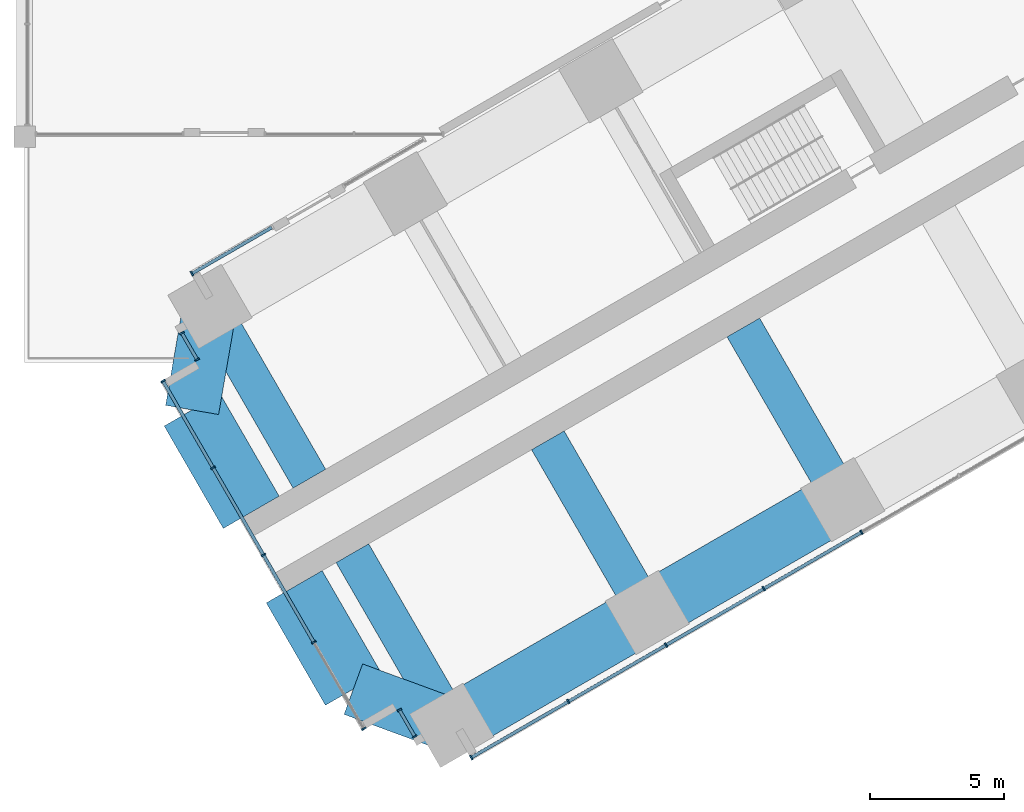
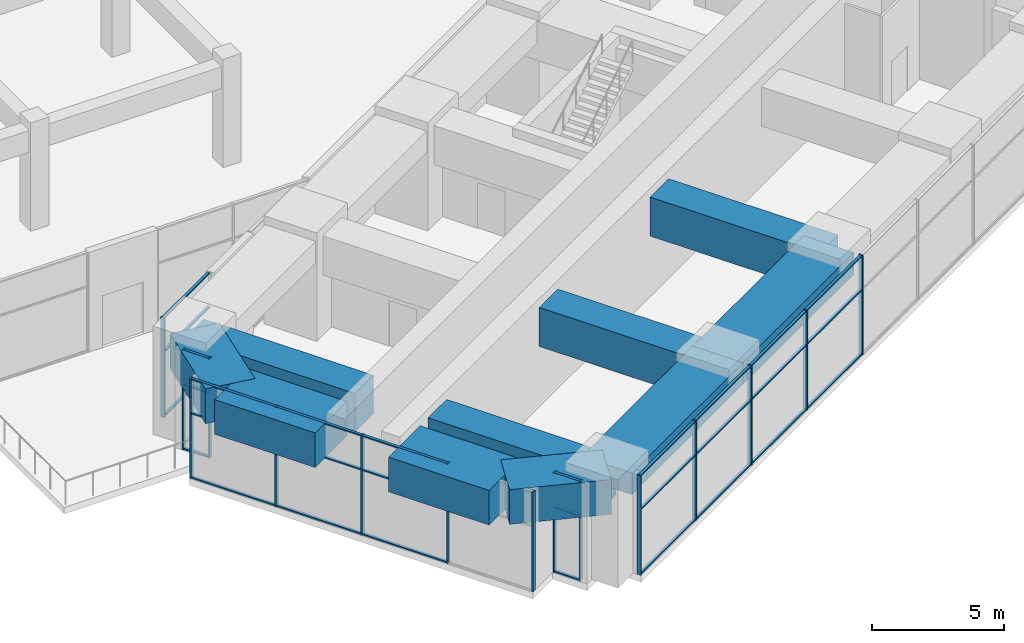
# One storey, part 2 of 33: 45 members, 10 beams, 5 elements without a shape of their own.
"""IFC4 building model written with IfcOpenShell, lengths in metres."""

import ifcopenshell
import ifcopenshell.guid

model = None  # the IFC model being written
_history = None  # IfcOwnerHistory: only IFC2X3 demands one
_inside = {}  # id of a spatial element -> (the spatial element, [elements in it])
_under = {}  # id of a project, library or spatial element -> (it, [spatial elements below it])
_declared = {}  # id of a project -> (the project, [libraries it declares])
_typed = {}  # id of a type object -> (the type object, [elements of that type])
_made_of = {}  # id of a material, layer set ... -> (it, [elements and type objects made of it])


def new_model(schema):
    """Start an empty IFC model of exactly this schema.

    Asked for "IFC4X3", IfcOpenShell would pick the latest addendum, in which some entities
    have other attributes; the version numbers below select the first issue.
    IFC2X3 requires an IfcOwnerHistory on every rooted entity: one is made here for all.
    """
    global model, _history
    if schema == "IFC4X3":
        model = ifcopenshell.file(schema_version=(4, 3, 0, 0))
    else:
        model = ifcopenshell.file(schema=schema)
    _inside.clear()
    _under.clear()
    _declared.clear()
    _typed.clear()
    _made_of.clear()
    _history = None
    if model.schema == "IFC2X3":
        org = make("IfcOrganization", Name="unknown")
        user = make(
            "IfcPersonAndOrganization",
            ThePerson=make("IfcPerson", FamilyName="unknown"),
            TheOrganization=org,
        )
        app = make(
            "IfcApplication",
            ApplicationDeveloper=org,
            Version="unknown",
            ApplicationFullName="unknown",
            ApplicationIdentifier="unknown",
        )
        _history = make(
            "IfcOwnerHistory",
            OwningUser=user,
            OwningApplication=app,
            ChangeAction="ADDED",
            CreationDate=0,
        )
    return model


def make(cls, **values):
    """One entity of the class cls with the attributes given. An attribute that is None is left unset."""
    return model.create_entity(
        cls, **{name: value for name, value in values.items() if value is not None}
    )


def rooted(cls, **values):
    """An entity with a GlobalId (a new one), such as an element, a storey or a relation."""
    return make(cls, GlobalId=ifcopenshell.guid.new(), OwnerHistory=_history, **values)


def si_unit(unit_type, name, prefix=None):
    """IfcSIUnit, for example si_unit("LENGTHUNIT", "METRE", prefix="MILLI")."""
    return make("IfcSIUnit", UnitType=unit_type, Prefix=prefix, Name=name)


def assignment(units):
    """IfcUnitAssignment: the units of a project."""
    return None if units is None else make("IfcUnitAssignment", Units=units)


def point(xyz):
    """IfcCartesianPoint."""
    return None if xyz is None else make("IfcCartesianPoint", Coordinates=xyz)


def direction(xyz):
    """IfcDirection."""
    return None if xyz is None else make("IfcDirection", DirectionRatios=xyz)


def frame(location, z_axis=None, x_axis=None):
    """IfcAxis2Placement3D, a coordinate frame: its origin and axes. An axis left out is left unset."""
    return make(
        "IfcAxis2Placement3D",
        Location=point(location),
        Axis=direction(z_axis),
        RefDirection=direction(x_axis),
    )


def frame_2d(location, x_axis=None):
    """IfcAxis2Placement2D, a coordinate frame in the plane: its origin and x axis."""
    return make(
        "IfcAxis2Placement2D", Location=point(location), RefDirection=direction(x_axis)
    )


def origin():
    """The frame at (0, 0, 0) with its axes left unset."""
    return frame((0.0, 0.0, 0.0))


def origin_2d():
    """The frame at (0, 0) in the plane with its x axis left unset."""
    return frame_2d((0.0, 0.0))


def place(relative_to, where):
    """IfcLocalPlacement: puts the frame where relative to a parent placement (None: the world)."""
    return make(
        "IfcLocalPlacement", PlacementRelTo=relative_to, RelativePlacement=where
    )


def context(
    kind, dimensions, precision=None, world=None, true_north=None, identifier=None
):
    """IfcGeometricRepresentationContext, for example the 3D "Model" context."""
    return make(
        "IfcGeometricRepresentationContext",
        ContextIdentifier=identifier,
        ContextType=kind,
        CoordinateSpaceDimension=dimensions,
        Precision=precision,
        WorldCoordinateSystem=world,
        TrueNorth=true_north,
    )


def subcontext(parent, identifier, kind, view, scale=None):
    """IfcGeometricRepresentationSubContext, for example "Body" below "Model"."""
    return make(
        "IfcGeometricRepresentationSubContext",
        ContextIdentifier=identifier,
        ContextType=kind,
        ParentContext=parent,
        TargetScale=scale,
        TargetView=view,
    )


def project(units=None, contexts=None):
    """IfcProject with its units and contexts."""
    return rooted(
        "IfcProject",
        Name="project",
        RepresentationContexts=contexts,
        UnitsInContext=assignment(units),
    )


def spatial(cls, under=None, at=None, **own):
    """A site, building, storey or space (cls), placed at a placement, below another one or the project."""
    s = rooted(cls, ObjectPlacement=at, **own)
    if under is not None:
        _under.setdefault(under.id(), (under, []))[1].append(s)
    return s


def profile(cls, at=None, kind="AREA", **sizes):
    """A parametric profile (cls). Its sizes go by their IFC names, for example OverallWidth=200.0."""
    return make(cls, ProfileType=kind, Position=at, **sizes)


def rectangle(**sizes):
    """IfcRectangleProfileDef."""
    return profile("IfcRectangleProfileDef", **sizes)


def extrude(swept, where, along, depth):
    """IfcExtrudedAreaSolid: the profile swept, set in the frame where, extruded along a direction by depth."""
    return make(
        "IfcExtrudedAreaSolid",
        SweptArea=swept,
        Position=where,
        ExtrudedDirection=direction(along),
        Depth=depth,
    )


def shape(context_of_items, identifier, shape_type, items):
    """IfcShapeRepresentation: the items that make up one representation, for example the "Body"."""
    return make(
        "IfcShapeRepresentation",
        ContextOfItems=context_of_items,
        RepresentationIdentifier=identifier,
        RepresentationType=shape_type,
        Items=items,
    )


def material(Name=None, Category=None):
    """IfcMaterial."""
    return make("IfcMaterial", Name=Name, Category=Category)


def material_profile(
    of_material, cross_section, Name=None, Category=None, Priority=None
):
    """IfcMaterialProfile: a cross section and its material."""
    return make(
        "IfcMaterialProfile",
        Name=Name,
        Material=of_material,
        Profile=cross_section,
        Priority=Priority,
        Category=Category,
    )


def profile_set(profiles, Name=None, composite=None):
    """IfcMaterialProfileSet."""
    return make(
        "IfcMaterialProfileSet",
        Name=Name,
        MaterialProfiles=profiles,
        CompositeProfile=composite,
    )


def made_of(thing, what):
    """Note that an element or type object is made of a material, layer set ...; save() writes the relation."""
    if what is not None:
        _made_of.setdefault(what.id(), (what, []))[1].append(thing)
    return thing


def type_object(cls, material=None, **own):
    """A type object (cls), such as IfcWallType, which elements share."""
    return made_of(rooted(cls, **own), material)


def element(
    cls,
    number,
    at=None,
    inside=None,
    cuts=None,
    type_object=None,
    material=None,
    context=None,
    identifier="Body",
    shape_type=None,
    held_by="IfcProductDefinitionShape",
    body=None,
    shapes=None,
    **own,
):
    """One element of the class cls, such as IfcWall. Its Tag is "e" and its number.

    at: its placement. inside: the storey or other place that contains it. cuts: it is an
    opening in that element (IfcRelVoidsElement). A single representation is given by context,
    identifier, shape_type and body (its items); several are given by shapes. held_by: the class
    of the entity that holds the representations. save() writes the other relations.
    """
    e = rooted(cls, Tag="e%d" % number, ObjectPlacement=at, **own)
    if body is not None:
        shapes = [shape(context, identifier, shape_type, body)]
    if shapes is not None:
        e.Representation = make(held_by, Representations=shapes)
    if inside is not None:
        _inside.setdefault(inside.id(), (inside, []))[1].append(e)
    if cuts is not None:
        rooted(
            "IfcRelVoidsElement", RelatingBuildingElement=cuts, RelatedOpeningElement=e
        )
    if type_object is not None:
        _typed.setdefault(type_object.id(), (type_object, []))[1].append(e)
    return made_of(e, material)


def aggregate(whole, parts):
    """IfcRelAggregates: a whole, such as a stair, and the parts it consists of."""
    return rooted("IfcRelAggregates", RelatingObject=whole, RelatedObjects=parts)


def save(model, path):
    """Write the relations noted so far, then the file.

    IfcRelAggregates (storeys below a building ...), IfcRelContainedInSpatialStructure (elements
    in a storey), IfcRelDefinesByType, IfcRelAssociatesMaterial and IfcRelDeclares: one each for
    every whole, place, type object, material and project.
    """
    for whole, parts in _under.values():
        aggregate(whole, parts)
    for where, things in _inside.values():
        rooted(
            "IfcRelContainedInSpatialStructure",
            RelatedElements=things,
            RelatingStructure=where,
        )
    for kind, things in _typed.values():
        rooted("IfcRelDefinesByType", RelatedObjects=things, RelatingType=kind)
    for what, things in _made_of.values():
        rooted("IfcRelAssociatesMaterial", RelatedObjects=things, RelatingMaterial=what)
    for by, libraries in _declared.values():
        rooted("IfcRelDeclares", RelatingContext=by, RelatedDefinitions=libraries)
    model.write(path)


model = new_model("IFC4")

# Units and contexts
model_context = context("Model", 3, precision=1e-05, world=origin(), true_north=direction((0.0, 1.0)))
body_context = subcontext(model_context, "Body", "Model", "MODEL_VIEW")
ifc_project = project(units=[si_unit("LENGTHUNIT", "METRE"), si_unit("AREAUNIT", "SQUARE_METRE"), si_unit("VOLUMEUNIT", "CUBIC_METRE"), si_unit("PLANEANGLEUNIT", "RADIAN"), si_unit("MASSUNIT", "GRAM", prefix="KILO")], contexts=[model_context])

# Site, building, storey
site_placement = place(None, origin())
site = spatial("IfcSite", under=ifc_project, at=site_placement, CompositionType="ELEMENT")
building_placement = place(site_placement, origin())
building = spatial("IfcBuilding", under=site, at=building_placement, Name="Impinga Residences", CompositionType="ELEMENT")
storey_placement = place(building_placement, frame((0.0, 0.0, 21.0)))
storey = spatial("IfcBuildingStorey", under=building, at=storey_placement, Name="L04", CompositionType="ELEMENT", Elevation=21.0)

# Beams
ifc_material_1 = material(Name="Concrete C60/75", Category="concrete")
ifc_material_profile_1 = material_profile(ifc_material_1, rectangle(XDim=2.0, YDim=1.60009765625, at=origin_2d()), Name="RC 2000x1600")
ifc_profile_set_1 = profile_set([ifc_material_profile_1], Name="Concrete C60/75")
beam_type_1 = type_object("IfcBeamType", Name="CB2 2000x1600 wing end cantilever beam", PredefinedType="BEAM", material=ifc_profile_set_1)
beam_1_placement = place(storey_placement, frame((-34.49853515625, -30.31005859375, 3.800048828125), z_axis=(-0.938520178725, 0.345224382289, 0.0), x_axis=(-0.345224382289, -0.938520178725, 0.0)))
element("IfcBeam", 1, at=beam_1_placement, inside=storey, type_object=beam_type_1, Name="Beam CB2 WB W5-WX level L05", PredefinedType="BEAM", context=body_context, shape_type="SweptSolid", body=[
    extrude(rectangle(XDim=2.0, YDim=1.60009765625, at=origin_2d()), origin(), (0.0, 0.0, 1.0), 3.905029296875),
])
beam_2_placement = place(storey_placement, frame((-43.49853515625, -14.721435546875, 3.800048828125), z_axis=(-0.170296298948, -0.985392901621, 0.0), x_axis=(0.985392901621, -0.170296298948, 0.0)))
element("IfcBeam", 2, at=beam_2_placement, inside=storey, type_object=beam_type_1, Name="Beam CB2 WE W5-WX level L05", PredefinedType="BEAM", context=body_context, shape_type="SweptSolid", body=[
    extrude(rectangle(XDim=2.0, YDim=1.60009765625, at=origin_2d()), origin(), (0.0, 0.0, 1.0), 3.9052734375),
])
ifc_material_profile_2 = material_profile(ifc_material_1, rectangle(XDim=1.39990234375, YDim=1.800048828125, at=origin_2d()), Name="RC 1400x1800")
ifc_profile_set_2 = profile_set([ifc_material_profile_2], Name="Concrete C60/75")
beam_type_2 = type_object("IfcBeamType", Name="CG4 1400x1800 cross girder on a wing bay line under the podium floors", PredefinedType="BEAM", material=ifc_profile_set_2)
beam_3_placement = place(storey_placement, frame((-23.649169921875, -15.50146484375, 3.699951171875), z_axis=(0.500003285667, -0.866023506795, 0.0), x_axis=(0.866023506795, 0.500003285667, 0.0)))
element("IfcBeam", 3, at=beam_3_placement, inside=storey, type_object=beam_type_2, Name="Beam CG4 W3 WC/WA level L05", PredefinedType="BEAM", context=body_context, shape_type="SweptSolid", body=[
    extrude(rectangle(XDim=1.39990234375, YDim=1.800048828125, at=origin_2d()), origin(), (0.0, 0.0, 1.0), 7.39990234375),
])
for number, where, z_axis, x_axis, name in (
    (4, (-30.923828125, -19.701416015625, 3.699951171875), (0.499988999718, -0.866031754707, 0.0), (0.866031754707, 0.499988999718, 0.0), "Beam CG4 W4 WC/WA level L05"),
    (5, (-38.198486328125, -23.9013671875, 3.699951171875), (0.499988999718, -0.866031754707, 0.0), (0.866031754707, 0.499988999718, 0.0), "Beam CG4 W5 WC/WA level L05"),
    (6, (-39.79833984375, -21.130126953125, 3.699951171875), (-0.500013743233, 0.86601746898, 0.0), (-0.86601746898, -0.500013743233, 0.0), "Beam CG4 W5 WC/WF level L05"),
):
    element("IfcBeam", number, at=place(storey_placement, frame(where, z_axis=z_axis, x_axis=x_axis)), inside=storey, type_object=beam_type_2, Name=name, PredefinedType="BEAM", context=body_context, shape_type="SweptSolid", body=[
        extrude(rectangle(XDim=1.39990234375, YDim=1.800048828125, at=origin_2d()), origin(), (0.0, 0.0, 1.0), 7.400146484375),
    ])

# Curtain wall, members
ifc_material_2 = material(Name="Aluminium stick curtain wall", Category="aluminium")
curtain_wall_type = type_object("IfcCurtainWallType", Name="CW1 podium amenity curtain wall", PredefinedType="USERDEFINED", material=ifc_material_2)
curtain_wall_1_placement = place(storey_placement, origin())
curtain_wall_1 = element("IfcCurtainWall", 7, at=curtain_wall_1_placement, inside=storey, type_object=curtain_wall_type, Name="Curtain wall CW1 L04", ObjectType="STICK CURTAIN WALL", PredefinedType="USERDEFINED")
ifc_material_3 = material(Name="Aluminium mullion", Category="aluminium")
ifc_material_profile_3 = material_profile(ifc_material_3, rectangle(XDim=0.06005859375, YDim=0.179931640625, at=origin_2d()), Name="60x180 mullion")
ifc_profile_set_3 = profile_set([ifc_material_profile_3], Name="Aluminium mullion")
member_type_1 = type_object("IfcMemberType", Name="CW1-M mullion 60x180", PredefinedType="MULLION", material=ifc_profile_set_3)
member_1_placement = place(storey_placement, frame((-35.8759765625, -30.72412109375, 0.0), z_axis=(0.0, 0.0, 1.0), x_axis=(-0.499999813995, 0.866025511175, 0.0)))
member_1 = element("IfcMember", 8, at=member_1_placement, type_object=member_type_1, Name="CW1 mullion 1", PredefinedType="MULLION", context=body_context, shape_type="SweptSolid", body=[
    extrude(rectangle(XDim=0.06005859375, YDim=0.179931640625, at=origin_2d()), origin(), (0.0, 0.0, 1.0), 4.60009765625),
])
member_2_placement = place(storey_placement, frame((-36.44580078125, -29.737060546875, 0.0), z_axis=(0.0, 0.0, 1.0), x_axis=(-0.499999813995, 0.866025511175, 0.0)))
member_2 = element("IfcMember", 9, at=member_2_placement, type_object=member_type_1, Name="CW1 mullion 2", PredefinedType="MULLION", context=body_context, shape_type="SweptSolid", body=[
    extrude(rectangle(XDim=0.06005859375, YDim=0.179931640625, at=origin_2d()), origin(), (0.0, 0.0, 1.0), 4.60009765625),
])

curtain_wall_2_placement = place(storey_placement, origin())
curtain_wall_2 = element("IfcCurtainWall", 10, at=curtain_wall_2_placement, inside=storey, type_object=curtain_wall_type, Name="Curtain wall CW1 L04", ObjectType="STICK CURTAIN WALL", PredefinedType="USERDEFINED")
member_3_placement = place(storey_placement, frame((-37.77490234375, -30.43505859375, 0.0), z_axis=(0.0, 0.0, 1.0), x_axis=(-0.500000001632, 0.866025402842, 0.0)))
member_3 = element("IfcMember", 11, at=member_3_placement, type_object=member_type_1, Name="CW1 mullion 1", PredefinedType="MULLION", context=body_context, shape_type="SweptSolid", body=[
    extrude(rectangle(XDim=0.06005859375, YDim=0.179931640625, at=origin_2d()), origin(), (0.0, 0.0, 1.0), 4.60009765625),
])
member_4_placement = place(storey_placement, frame((-39.635009765625, -27.21337890625, 0.0), z_axis=(0.0, 0.0, 1.0), x_axis=(-0.500000001632, 0.866025402842, 0.0)))
member_4 = element("IfcMember", 12, at=member_4_placement, type_object=member_type_1, Name="CW1 mullion 2", PredefinedType="MULLION", context=body_context, shape_type="SweptSolid", body=[
    extrude(rectangle(XDim=0.06005859375, YDim=0.179931640625, at=origin_2d()), origin(), (0.0, 0.0, 1.0), 4.60009765625),
])
member_5_placement = place(storey_placement, frame((-41.510009765625, -23.9658203125, 0.0), z_axis=(0.0, 0.0, 1.0), x_axis=(-0.500000001632, 0.866025402842, 0.0)))
member_5 = element("IfcMember", 13, at=member_5_placement, type_object=member_type_1, Name="CW1 mullion 3", PredefinedType="MULLION", context=body_context, shape_type="SweptSolid", body=[
    extrude(rectangle(XDim=0.06005859375, YDim=0.179931640625, at=origin_2d()), origin(), (0.0, 0.0, 1.0), 4.60009765625),
])
member_6_placement = place(storey_placement, frame((-43.385009765625, -20.71826171875, 0.0), z_axis=(0.0, 0.0, 1.0), x_axis=(-0.500000001632, 0.866025402842, 0.0)))
member_6 = element("IfcMember", 14, at=member_6_placement, type_object=member_type_1, Name="CW1 mullion 4", PredefinedType="MULLION", context=body_context, shape_type="SweptSolid", body=[
    extrude(rectangle(XDim=0.06005859375, YDim=0.179931640625, at=origin_2d()), origin(), (0.0, 0.0, 1.0), 4.60009765625),
])
member_7_placement = place(storey_placement, frame((-45.244873046875, -17.49658203125, 0.0), z_axis=(0.0, 0.0, 1.0), x_axis=(-0.500000001632, 0.866025402842, 0.0)))
member_7 = element("IfcMember", 15, at=member_7_placement, type_object=member_type_1, Name="CW1 mullion 5", PredefinedType="MULLION", context=body_context, shape_type="SweptSolid", body=[
    extrude(rectangle(XDim=0.06005859375, YDim=0.179931640625, at=origin_2d()), origin(), (0.0, 0.0, 1.0), 4.60009765625),
])

curtain_wall_3_placement = place(storey_placement, origin())
curtain_wall_3 = element("IfcCurtainWall", 16, at=curtain_wall_3_placement, inside=storey, type_object=curtain_wall_type, Name="Curtain wall CW1 L04", ObjectType="STICK CURTAIN WALL", PredefinedType="USERDEFINED")
member_8_placement = place(storey_placement, frame((-43.975830078125, -16.694580078125, 0.0), z_axis=(0.0, 0.0, 1.0), x_axis=(-0.50000017485, 0.866025302835, 0.0)))
member_8 = element("IfcMember", 17, at=member_8_placement, type_object=member_type_1, Name="CW1 mullion 1", PredefinedType="MULLION", context=body_context, shape_type="SweptSolid", body=[
    extrude(rectangle(XDim=0.06005859375, YDim=0.179931640625, at=origin_2d()), origin(), (0.0, 0.0, 1.0), 4.60009765625),
])
member_9_placement = place(storey_placement, frame((-44.5458984375, -15.707275390625, 0.0), z_axis=(0.0, 0.0, 1.0), x_axis=(-0.50000017485, 0.866025302835, 0.0)))
member_9 = element("IfcMember", 18, at=member_9_placement, type_object=member_type_1, Name="CW1 mullion 2", PredefinedType="MULLION", context=body_context, shape_type="SweptSolid", body=[
    extrude(rectangle(XDim=0.06005859375, YDim=0.179931640625, at=origin_2d()), origin(), (0.0, 0.0, 1.0), 4.60009765625),
])

# Curtain wall, member
curtain_wall_4_placement = place(storey_placement, origin())
curtain_wall_4 = element("IfcCurtainWall", 19, at=curtain_wall_4_placement, inside=storey, type_object=curtain_wall_type, Name="Curtain wall CW1 L04", ObjectType="STICK CURTAIN WALL", PredefinedType="USERDEFINED")
member_10_placement = place(storey_placement, frame((-44.17236328125, -13.494140625, 0.0), z_axis=(0.0, 0.0, 1.0), x_axis=(0.866025511323, 0.499999813738, 0.0)))
member_10 = element("IfcMember", 20, at=member_10_placement, type_object=member_type_1, Name="CW1 mullion 1", PredefinedType="MULLION", context=body_context, shape_type="SweptSolid", body=[
    extrude(rectangle(XDim=0.06005859375, YDim=0.179931640625, at=origin_2d()), origin(), (0.0, 0.0, 1.0), 4.60009765625),
])

# Curtain wall, members
curtain_wall_5_placement = place(storey_placement, origin())
curtain_wall_5 = element("IfcCurtainWall", 21, at=curtain_wall_5_placement, inside=storey, type_object=curtain_wall_type, Name="Curtain wall CW1 L04", ObjectType="STICK CURTAIN WALL", PredefinedType="USERDEFINED")
member_11_placement = place(storey_placement, frame((-19.249267578125, -23.122314453125, 0.0), z_axis=(0.0, 0.0, 1.0), x_axis=(-0.866025407005, -0.499999994423, 0.0)))
member_11 = element("IfcMember", 22, at=member_11_placement, type_object=member_type_1, Name="CW1 mullion 5", PredefinedType="MULLION", context=body_context, shape_type="SweptSolid", body=[
    extrude(rectangle(XDim=0.06005859375, YDim=0.179931640625, at=origin_2d()), origin(), (0.0, 0.0, 1.0), 4.60009765625),
])
member_12_placement = place(storey_placement, frame((-22.886474609375, -25.222412109375, 0.0), z_axis=(0.0, 0.0, 1.0), x_axis=(-0.866025407005, -0.499999994423, 0.0)))
member_12 = element("IfcMember", 23, at=member_12_placement, type_object=member_type_1, Name="CW1 mullion 6", PredefinedType="MULLION", context=body_context, shape_type="SweptSolid", body=[
    extrude(rectangle(XDim=0.06005859375, YDim=0.179931640625, at=origin_2d()), origin(), (0.0, 0.0, 1.0), 4.60009765625),
])
member_13_placement = place(storey_placement, frame((-26.52392578125, -27.322509765625, 0.0), z_axis=(0.0, 0.0, 1.0), x_axis=(-0.866025407005, -0.499999994423, 0.0)))
member_13 = element("IfcMember", 24, at=member_13_placement, type_object=member_type_1, Name="CW1 mullion 7", PredefinedType="MULLION", context=body_context, shape_type="SweptSolid", body=[
    extrude(rectangle(XDim=0.06005859375, YDim=0.179931640625, at=origin_2d()), origin(), (0.0, 0.0, 1.0), 4.60009765625),
])
member_14_placement = place(storey_placement, frame((-30.1611328125, -29.42236328125, 0.0), z_axis=(0.0, 0.0, 1.0), x_axis=(-0.866025407005, -0.499999994423, 0.0)))
member_14 = element("IfcMember", 25, at=member_14_placement, type_object=member_type_1, Name="CW1 mullion 8", PredefinedType="MULLION", context=body_context, shape_type="SweptSolid", body=[
    extrude(rectangle(XDim=0.06005859375, YDim=0.179931640625, at=origin_2d()), origin(), (0.0, 0.0, 1.0), 4.60009765625),
])
member_15_placement = place(storey_placement, frame((-33.7724609375, -31.50732421875, 0.0), z_axis=(0.0, 0.0, 1.0), x_axis=(-0.866025407005, -0.499999994423, 0.0)))
member_15 = element("IfcMember", 26, at=member_15_placement, type_object=member_type_1, Name="CW1 mullion 9", PredefinedType="MULLION", context=body_context, shape_type="SweptSolid", body=[
    extrude(rectangle(XDim=0.06005859375, YDim=0.179931640625, at=origin_2d()), origin(), (0.0, 0.0, 1.0), 4.60009765625),
])

# Member
ifc_material_4 = material(Name="Aluminium transom", Category="aluminium")
ifc_material_profile_4 = material_profile(ifc_material_4, rectangle(XDim=0.06005859375, YDim=0.1201171875, at=origin_2d()), Name="60x120 transom")
ifc_profile_set_4 = profile_set([ifc_material_profile_4], Name="Aluminium transom")
member_type_2 = type_object("IfcMemberType", Name="CW1-T transom 60x120", PredefinedType="USERDEFINED", material=ifc_profile_set_4)
member_16_placement = place(storey_placement, frame((-35.890869140625, -30.6982421875, 0.030029296875), z_axis=(-0.500029011134, 0.866008653551, 0.0), x_axis=(0.0, 0.0, 1.0)))
member_16 = element("IfcMember", 27, at=member_16_placement, type_object=member_type_2, Name="CW1 transom 1.1", ObjectType="TRANSOM", PredefinedType="USERDEFINED", context=body_context, shape_type="SweptSolid", body=[
    extrude(rectangle(XDim=0.06005859375, YDim=0.1201171875, at=origin_2d()), origin(), (0.0, 0.0, 1.0), 1.080078125),
])

member_17_placement = place(storey_placement, frame((-35.890869140625, -30.6982421875, 3.0), z_axis=(-0.500029011134, 0.866008653551, 0.0), x_axis=(0.0, 0.0, 1.0)))
member_17 = element("IfcMember", 28, at=member_17_placement, type_object=member_type_2, Name="CW1 transom 1.2", ObjectType="TRANSOM", PredefinedType="USERDEFINED", context=body_context, shape_type="SweptSolid", body=[
    extrude(rectangle(XDim=0.06005859375, YDim=0.1201171875, at=origin_2d()), origin(), (0.0, 0.0, 1.0), 1.080078125),
])

member_18_placement = place(storey_placement, frame((-35.890869140625, -30.6982421875, 4.570068359375), z_axis=(-0.500029011134, 0.866008653551, 0.0), x_axis=(0.0, 0.0, 1.0)))
member_18 = element("IfcMember", 29, at=member_18_placement, type_object=member_type_2, Name="CW1 transom 1.3", ObjectType="TRANSOM", PredefinedType="USERDEFINED", context=body_context, shape_type="SweptSolid", body=[
    extrude(rectangle(XDim=0.06005859375, YDim=0.1201171875, at=origin_2d()), origin(), (0.0, 0.0, 1.0), 1.080078125),
])

aggregate(curtain_wall_1, [member_1, member_2, member_16, member_17, member_18])

member_19_placement = place(storey_placement, frame((-39.64990234375, -27.1875, 0.030029296875), z_axis=(-0.499974444137, 0.866040157966, 0.0), x_axis=(0.0, 0.0, 1.0)))
member_19 = element("IfcMember", 30, at=member_19_placement, type_object=member_type_2, Name="CW1 transom 2.1", ObjectType="TRANSOM", PredefinedType="USERDEFINED", context=body_context, shape_type="SweptSolid", body=[
    extrude(rectangle(XDim=0.06005859375, YDim=0.1201171875, at=origin_2d()), origin(), (0.0, 0.0, 1.0), 3.690185546875),
])

member_20_placement = place(storey_placement, frame((-39.64990234375, -27.1875, 3.0), z_axis=(-0.499974444137, 0.866040157966, 0.0), x_axis=(0.0, 0.0, 1.0)))
member_20 = element("IfcMember", 31, at=member_20_placement, type_object=member_type_2, Name="CW1 transom 2.2", ObjectType="TRANSOM", PredefinedType="USERDEFINED", context=body_context, shape_type="SweptSolid", body=[
    extrude(rectangle(XDim=0.06005859375, YDim=0.1201171875, at=origin_2d()), origin(), (0.0, 0.0, 1.0), 3.690185546875),
])

member_21_placement = place(storey_placement, frame((-39.64990234375, -27.1875, 4.570068359375), z_axis=(-0.499974444137, 0.866040157966, 0.0), x_axis=(0.0, 0.0, 1.0)))
member_21 = element("IfcMember", 32, at=member_21_placement, type_object=member_type_2, Name="CW1 transom 2.3", ObjectType="TRANSOM", PredefinedType="USERDEFINED", context=body_context, shape_type="SweptSolid", body=[
    extrude(rectangle(XDim=0.06005859375, YDim=0.1201171875, at=origin_2d()), origin(), (0.0, 0.0, 1.0), 3.690185546875),
])

member_22_placement = place(storey_placement, frame((-41.52490234375, -23.939697265625, 0.030029296875), z_axis=(-0.500003092839, 0.866023618125, 0.0), x_axis=(0.0, 0.0, 1.0)))
member_22 = element("IfcMember", 33, at=member_22_placement, type_object=member_type_2, Name="CW1 transom 3.1", ObjectType="TRANSOM", PredefinedType="USERDEFINED", context=body_context, shape_type="SweptSolid", body=[
    extrude(rectangle(XDim=0.06005859375, YDim=0.1201171875, at=origin_2d()), origin(), (0.0, 0.0, 1.0), 3.68994140625),
])

member_23_placement = place(storey_placement, frame((-41.52490234375, -23.939697265625, 3.0), z_axis=(-0.500003092839, 0.866023618125, 0.0), x_axis=(0.0, 0.0, 1.0)))
member_23 = element("IfcMember", 34, at=member_23_placement, type_object=member_type_2, Name="CW1 transom 3.2", ObjectType="TRANSOM", PredefinedType="USERDEFINED", context=body_context, shape_type="SweptSolid", body=[
    extrude(rectangle(XDim=0.06005859375, YDim=0.1201171875, at=origin_2d()), origin(), (0.0, 0.0, 1.0), 3.68994140625),
])

member_24_placement = place(storey_placement, frame((-41.52490234375, -23.939697265625, 4.570068359375), z_axis=(-0.500003092839, 0.866023618125, 0.0), x_axis=(0.0, 0.0, 1.0)))
member_24 = element("IfcMember", 35, at=member_24_placement, type_object=member_type_2, Name="CW1 transom 3.3", ObjectType="TRANSOM", PredefinedType="USERDEFINED", context=body_context, shape_type="SweptSolid", body=[
    extrude(rectangle(XDim=0.06005859375, YDim=0.1201171875, at=origin_2d()), origin(), (0.0, 0.0, 1.0), 3.68994140625),
])

member_25_placement = place(storey_placement, frame((-43.39990234375, -20.692138671875, 0.030029296875), z_axis=(-0.500013080017, 0.866017851902, 0.0), x_axis=(0.0, 0.0, 1.0)))
member_25 = element("IfcMember", 36, at=member_25_placement, type_object=member_type_2, Name="CW1 transom 4.1", ObjectType="TRANSOM", PredefinedType="USERDEFINED", context=body_context, shape_type="SweptSolid", body=[
    extrude(rectangle(XDim=0.06005859375, YDim=0.1201171875, at=origin_2d()), origin(), (0.0, 0.0, 1.0), 3.66015625),
])

member_26_placement = place(storey_placement, frame((-43.39990234375, -20.692138671875, 3.0), z_axis=(-0.500013080017, 0.866017851902, 0.0), x_axis=(0.0, 0.0, 1.0)))
member_26 = element("IfcMember", 37, at=member_26_placement, type_object=member_type_2, Name="CW1 transom 4.2", ObjectType="TRANSOM", PredefinedType="USERDEFINED", context=body_context, shape_type="SweptSolid", body=[
    extrude(rectangle(XDim=0.06005859375, YDim=0.1201171875, at=origin_2d()), origin(), (0.0, 0.0, 1.0), 3.66015625),
])

member_27_placement = place(storey_placement, frame((-43.39990234375, -20.692138671875, 4.570068359375), z_axis=(-0.500013080017, 0.866017851902, 0.0), x_axis=(0.0, 0.0, 1.0)))
member_27 = element("IfcMember", 38, at=member_27_placement, type_object=member_type_2, Name="CW1 transom 4.3", ObjectType="TRANSOM", PredefinedType="USERDEFINED", context=body_context, shape_type="SweptSolid", body=[
    extrude(rectangle(XDim=0.06005859375, YDim=0.1201171875, at=origin_2d()), origin(), (0.0, 0.0, 1.0), 3.66015625),
])

aggregate(curtain_wall_2, [member_3, member_4, member_5, member_6, member_7, member_19, member_20, member_21, member_22, member_23, member_24, member_25, member_26, member_27])

member_28_placement = place(storey_placement, frame((-43.990966796875, -16.668701171875, 0.030029296875), z_axis=(-0.500029011134, 0.866008653551, 0.0), x_axis=(0.0, 0.0, 1.0)))
member_28 = element("IfcMember", 39, at=member_28_placement, type_object=member_type_2, Name="CW1 transom 1.1", ObjectType="TRANSOM", PredefinedType="USERDEFINED", context=body_context, shape_type="SweptSolid", body=[
    extrude(rectangle(XDim=0.06005859375, YDim=0.1201171875, at=origin_2d()), origin(), (0.0, 0.0, 1.0), 1.080078125),
])

member_29_placement = place(storey_placement, frame((-43.990966796875, -16.668701171875, 3.0), z_axis=(-0.500029011134, 0.866008653551, 0.0), x_axis=(0.0, 0.0, 1.0)))
member_29 = element("IfcMember", 40, at=member_29_placement, type_object=member_type_2, Name="CW1 transom 1.2", ObjectType="TRANSOM", PredefinedType="USERDEFINED", context=body_context, shape_type="SweptSolid", body=[
    extrude(rectangle(XDim=0.06005859375, YDim=0.1201171875, at=origin_2d()), origin(), (0.0, 0.0, 1.0), 1.080078125),
])

member_30_placement = place(storey_placement, frame((-43.990966796875, -16.668701171875, 4.570068359375), z_axis=(-0.500029011134, 0.866008653551, 0.0), x_axis=(0.0, 0.0, 1.0)))
member_30 = element("IfcMember", 41, at=member_30_placement, type_object=member_type_2, Name="CW1 transom 1.3", ObjectType="TRANSOM", PredefinedType="USERDEFINED", context=body_context, shape_type="SweptSolid", body=[
    extrude(rectangle(XDim=0.06005859375, YDim=0.1201171875, at=origin_2d()), origin(), (0.0, 0.0, 1.0), 1.080078125),
])

aggregate(curtain_wall_3, [member_8, member_9, member_28, member_29, member_30])

member_31_placement = place(storey_placement, frame((-44.146484375, -13.47900390625, 0.030029296875), z_axis=(0.86602665903, 0.499997825845, 0.0), x_axis=(0.0, 0.0, 1.0)))
member_31 = element("IfcMember", 42, at=member_31_placement, type_object=member_type_2, Name="CW1 transom 1.1", ObjectType="TRANSOM", PredefinedType="USERDEFINED", context=body_context, shape_type="SweptSolid", body=[
    extrude(rectangle(XDim=0.06005859375, YDim=0.1201171875, at=origin_2d()), origin(), (0.0, 0.0, 1.0), 3.40234375),
])

member_32_placement = place(storey_placement, frame((-44.146484375, -13.47900390625, 3.0), z_axis=(0.86602665903, 0.499997825845, 0.0), x_axis=(0.0, 0.0, 1.0)))
member_32 = element("IfcMember", 43, at=member_32_placement, type_object=member_type_2, Name="CW1 transom 1.2", ObjectType="TRANSOM", PredefinedType="USERDEFINED", context=body_context, shape_type="SweptSolid", body=[
    extrude(rectangle(XDim=0.06005859375, YDim=0.1201171875, at=origin_2d()), origin(), (0.0, 0.0, 1.0), 3.40234375),
])

member_33_placement = place(storey_placement, frame((-44.146484375, -13.47900390625, 4.570068359375), z_axis=(0.86602665903, 0.499997825845, 0.0), x_axis=(0.0, 0.0, 1.0)))
member_33 = element("IfcMember", 44, at=member_33_placement, type_object=member_type_2, Name="CW1 transom 1.3", ObjectType="TRANSOM", PredefinedType="USERDEFINED", context=body_context, shape_type="SweptSolid", body=[
    extrude(rectangle(XDim=0.06005859375, YDim=0.1201171875, at=origin_2d()), origin(), (0.0, 0.0, 1.0), 3.40234375),
])

aggregate(curtain_wall_4, [member_10, member_31, member_32, member_33])

member_34_placement = place(storey_placement, frame((-19.275146484375, -23.137451171875, 0.030029296875), z_axis=(-0.866024536972, -0.500001501361, 0.0), x_axis=(0.0, 0.0, 1.0)))
member_34 = element("IfcMember", 45, at=member_34_placement, type_object=member_type_2, Name="CW1 transom 5.1", ObjectType="TRANSOM", PredefinedType="USERDEFINED", context=body_context, shape_type="SweptSolid", body=[
    extrude(rectangle(XDim=0.06005859375, YDim=0.1201171875, at=origin_2d()), origin(), (0.0, 0.0, 1.0), 4.14013671875),
])

member_35_placement = place(storey_placement, frame((-19.275146484375, -23.137451171875, 3.0), z_axis=(-0.866024536972, -0.500001501361, 0.0), x_axis=(0.0, 0.0, 1.0)))
member_35 = element("IfcMember", 46, at=member_35_placement, type_object=member_type_2, Name="CW1 transom 5.2", ObjectType="TRANSOM", PredefinedType="USERDEFINED", context=body_context, shape_type="SweptSolid", body=[
    extrude(rectangle(XDim=0.06005859375, YDim=0.1201171875, at=origin_2d()), origin(), (0.0, 0.0, 1.0), 4.14013671875),
])

member_36_placement = place(storey_placement, frame((-19.275146484375, -23.137451171875, 4.570068359375), z_axis=(-0.866024536972, -0.500001501361, 0.0), x_axis=(0.0, 0.0, 1.0)))
member_36 = element("IfcMember", 47, at=member_36_placement, type_object=member_type_2, Name="CW1 transom 5.3", ObjectType="TRANSOM", PredefinedType="USERDEFINED", context=body_context, shape_type="SweptSolid", body=[
    extrude(rectangle(XDim=0.06005859375, YDim=0.1201171875, at=origin_2d()), origin(), (0.0, 0.0, 1.0), 4.14013671875),
])

member_37_placement = place(storey_placement, frame((-22.91259765625, -25.237548828125, 0.030029296875), z_axis=(-0.86603532975, -0.499982807329, 0.0), x_axis=(0.0, 0.0, 1.0)))
member_37 = element("IfcMember", 48, at=member_37_placement, type_object=member_type_2, Name="CW1 transom 6.1", ObjectType="TRANSOM", PredefinedType="USERDEFINED", context=body_context, shape_type="SweptSolid", body=[
    extrude(rectangle(XDim=0.06005859375, YDim=0.1201171875, at=origin_2d()), origin(), (0.0, 0.0, 1.0), 4.139892578125),
])

member_38_placement = place(storey_placement, frame((-22.91259765625, -25.237548828125, 3.0), z_axis=(-0.86603532975, -0.499982807329, 0.0), x_axis=(0.0, 0.0, 1.0)))
member_38 = element("IfcMember", 49, at=member_38_placement, type_object=member_type_2, Name="CW1 transom 6.2", ObjectType="TRANSOM", PredefinedType="USERDEFINED", context=body_context, shape_type="SweptSolid", body=[
    extrude(rectangle(XDim=0.06005859375, YDim=0.1201171875, at=origin_2d()), origin(), (0.0, 0.0, 1.0), 4.139892578125),
])

member_39_placement = place(storey_placement, frame((-22.91259765625, -25.237548828125, 4.570068359375), z_axis=(-0.86603532975, -0.499982807329, 0.0), x_axis=(0.0, 0.0, 1.0)))
member_39 = element("IfcMember", 50, at=member_39_placement, type_object=member_type_2, Name="CW1 transom 6.3", ObjectType="TRANSOM", PredefinedType="USERDEFINED", context=body_context, shape_type="SweptSolid", body=[
    extrude(rectangle(XDim=0.06005859375, YDim=0.1201171875, at=origin_2d()), origin(), (0.0, 0.0, 1.0), 4.139892578125),
])

member_40_placement = place(storey_placement, frame((-26.5498046875, -27.33740234375, 0.030029296875), z_axis=(-0.866024536972, -0.500001501361, 0.0), x_axis=(0.0, 0.0, 1.0)))
member_40 = element("IfcMember", 51, at=member_40_placement, type_object=member_type_2, Name="CW1 transom 7.1", ObjectType="TRANSOM", PredefinedType="USERDEFINED", context=body_context, shape_type="SweptSolid", body=[
    extrude(rectangle(XDim=0.06005859375, YDim=0.1201171875, at=origin_2d()), origin(), (0.0, 0.0, 1.0), 4.14013671875),
])

member_41_placement = place(storey_placement, frame((-26.5498046875, -27.33740234375, 3.0), z_axis=(-0.866024536972, -0.500001501361, 0.0), x_axis=(0.0, 0.0, 1.0)))
member_41 = element("IfcMember", 52, at=member_41_placement, type_object=member_type_2, Name="CW1 transom 7.2", ObjectType="TRANSOM", PredefinedType="USERDEFINED", context=body_context, shape_type="SweptSolid", body=[
    extrude(rectangle(XDim=0.06005859375, YDim=0.1201171875, at=origin_2d()), origin(), (0.0, 0.0, 1.0), 4.14013671875),
])

member_42_placement = place(storey_placement, frame((-26.5498046875, -27.33740234375, 4.570068359375), z_axis=(-0.866024536972, -0.500001501361, 0.0), x_axis=(0.0, 0.0, 1.0)))
member_42 = element("IfcMember", 53, at=member_42_placement, type_object=member_type_2, Name="CW1 transom 7.3", ObjectType="TRANSOM", PredefinedType="USERDEFINED", context=body_context, shape_type="SweptSolid", body=[
    extrude(rectangle(XDim=0.06005859375, YDim=0.1201171875, at=origin_2d()), origin(), (0.0, 0.0, 1.0), 4.14013671875),
])

member_43_placement = place(storey_placement, frame((-30.18701171875, -29.4375, 0.030029296875), z_axis=(-0.866045128991, -0.499965833383, 0.0), x_axis=(0.0, 0.0, 1.0)))
member_43 = element("IfcMember", 54, at=member_43_placement, type_object=member_type_2, Name="CW1 transom 8.1", ObjectType="TRANSOM", PredefinedType="USERDEFINED", context=body_context, shape_type="SweptSolid", body=[
    extrude(rectangle(XDim=0.06005859375, YDim=0.1201171875, at=origin_2d()), origin(), (0.0, 0.0, 1.0), 4.110107421875),
])

member_44_placement = place(storey_placement, frame((-30.18701171875, -29.4375, 3.0), z_axis=(-0.866045128991, -0.499965833383, 0.0), x_axis=(0.0, 0.0, 1.0)))
member_44 = element("IfcMember", 55, at=member_44_placement, type_object=member_type_2, Name="CW1 transom 8.2", ObjectType="TRANSOM", PredefinedType="USERDEFINED", context=body_context, shape_type="SweptSolid", body=[
    extrude(rectangle(XDim=0.06005859375, YDim=0.1201171875, at=origin_2d()), origin(), (0.0, 0.0, 1.0), 4.110107421875),
])

member_45_placement = place(storey_placement, frame((-30.18701171875, -29.4375, 4.570068359375), z_axis=(-0.866045128991, -0.499965833383, 0.0), x_axis=(0.0, 0.0, 1.0)))
member_45 = element("IfcMember", 56, at=member_45_placement, type_object=member_type_2, Name="CW1 transom 8.3", ObjectType="TRANSOM", PredefinedType="USERDEFINED", context=body_context, shape_type="SweptSolid", body=[
    extrude(rectangle(XDim=0.06005859375, YDim=0.1201171875, at=origin_2d()), origin(), (0.0, 0.0, 1.0), 4.110107421875),
])

aggregate(curtain_wall_5, [member_11, member_12, member_13, member_14, member_15, member_34, member_35, member_36, member_37, member_38, member_39, member_40, member_41, member_42, member_43, member_44, member_45])

# Beams
ifc_material_profile_5 = material_profile(ifc_material_1, rectangle(XDim=2.39990234375, YDim=1.60009765625, at=origin_2d()), Name="RC 2400x1600")
ifc_profile_set_5 = profile_set([ifc_material_profile_5], Name="Concrete C60/75")
beam_type_3 = type_object("IfcBeamType", Name="EB2 2400x1600 wing end beam", PredefinedType="BEAM", material=ifc_profile_set_5)
for number, where, z_axis, x_axis, name in (
    (57, (-38.16357421875, -28.9619140625, 3.800048828125), (-0.499988222896, 0.866032203192, 0.0), (-0.866032203192, -0.499988222896, 0.0), "Beam EB2 WX4 level L05"),
    (58, (-41.963623046875, -22.380126953125, 3.800048828125), (-0.499988222896, 0.866032203192, 0.0), (-0.866032203192, -0.499988222896, 0.0), "Beam EB2 WX4 level L05"),
):
    element("IfcBeam", number, at=place(storey_placement, frame(where, z_axis=z_axis, x_axis=x_axis)), inside=storey, type_object=beam_type_3, Name=name, PredefinedType="BEAM", context=body_context, shape_type="SweptSolid", body=[
        extrude(rectangle(XDim=2.39990234375, YDim=1.60009765625, at=origin_2d()), origin(), (0.0, 0.0, 1.0), 4.39990234375),
    ])
ifc_material_profile_6 = material_profile(ifc_material_1, rectangle(XDim=2.199951171875, YDim=1.0, at=origin_2d()), Name="RC 2200x1000")
ifc_profile_set_6 = profile_set([ifc_material_profile_6], Name="Concrete C60/75")
beam_type_4 = type_object("IfcBeamType", Name="PB3 2200x1000 podium band beam", PredefinedType="BEAM", material=ifc_profile_set_6)
beam_4_placement = place(storey_placement, frame((-19.94921875, -21.909912109375, 4.10009765625), z_axis=(-0.866016669275, -0.500015128309, 0.0), x_axis=(0.500015128309, -0.866016669275, 0.0)))
element("IfcBeam", 59, at=beam_4_placement, inside=storey, type_object=beam_type_4, Name="Beam PB3 WA W3-W4 level L05", PredefinedType="BEAM", context=body_context, shape_type="SweptSolid", body=[
    extrude(rectangle(XDim=2.199951171875, YDim=1.0, at=origin_2d()), origin(), (0.0, 0.0, 1.0), 8.400146484375),
])
beam_5_placement = place(storey_placement, frame((-27.223876953125, -26.110107421875, 4.10009765625), z_axis=(-0.86602925447, -0.499993330357, 0.0), x_axis=(0.499993330357, -0.86602925447, 0.0)))
element("IfcBeam", 60, at=beam_5_placement, inside=storey, type_object=beam_type_4, Name="Beam PB3 WA W4-W5 level L05", PredefinedType="BEAM", context=body_context, shape_type="SweptSolid", body=[
    extrude(rectangle(XDim=2.199951171875, YDim=1.0, at=origin_2d()), origin(), (0.0, 0.0, 1.0), 8.39990234375),
])

save(model, "model.ifc")
